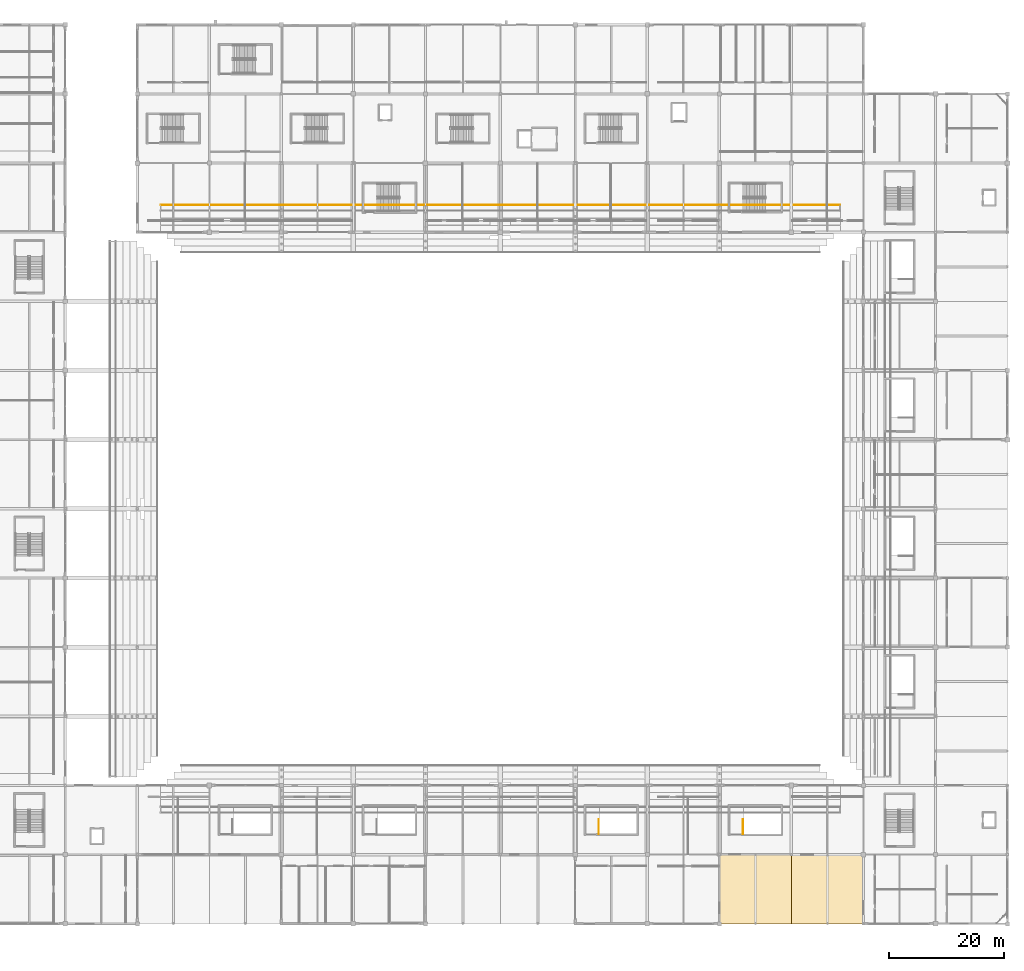
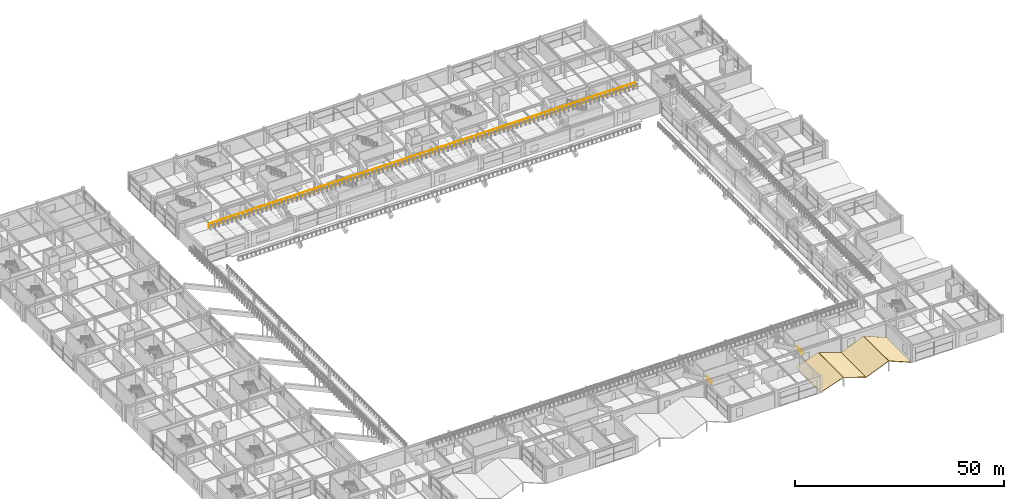
# One storey, part 117 of 128: 4 coverings, 3 railings.
"""IFC4 building model written with IfcOpenShell, lengths in metres."""

from ifc_helpers import new_model, si_unit, direction, frame, origin, origin_2d, place, context, subcontext, project, spatial, polyline, circle, outline, extrude, material, layer, layer_set, type_object, element, save


model = new_model("IFC4")

# Units and contexts
model_context = context("Model", 3, precision=1e-05, world=origin(), true_north=direction((0.0, 1.0)))
body_context = subcontext(model_context, "Body", "Model", "MODEL_VIEW")
ifc_project = project(units=[si_unit("LENGTHUNIT", "METRE"), si_unit("AREAUNIT", "SQUARE_METRE"), si_unit("VOLUMEUNIT", "CUBIC_METRE"), si_unit("PLANEANGLEUNIT", "RADIAN"), si_unit("MASSUNIT", "GRAM", prefix="KILO")], contexts=[model_context])

# Site, building, storey
site_placement = place(None, origin())
site = spatial("IfcSite", under=ifc_project, at=site_placement, CompositionType="ELEMENT")
building_placement = place(site_placement, origin())
building = spatial("IfcBuilding", under=site, at=building_placement, Name="Kazenohara Klinker Stadium", CompositionType="ELEMENT")
storey_placement = place(building_placement, frame((0.0, 0.0, 15.300048828125)))
storey = spatial("IfcBuildingStorey", under=building, at=storey_placement, Name="L03", CompositionType="ELEMENT", Elevation=15.300048828125)

# Coverings
ifc_material_1 = material(Name="Insulated standing-seam copper roofing", Category="metal")
ifc_layer_1 = layer(ifc_material_1, 0.050048828125)
ifc_layer_set_1 = layer_set([ifc_layer_1], Name="Insulated standing-seam copper roofing")
covering_type = type_object("IfcCoveringType", Name="COV-ROOF-01", PredefinedType="ROOFING", material=ifc_layer_set_1)
for number, where, z_axis, x_axis, name in (
    (1, (150.0, 12.0, -0.030029296875), (-0.327622925614, 0.0, 0.944808561886), (0.944808561886, 0.0, 0.327622925614), "Standing-seam copper stepped wing roofing L03-A 13/B"),
    (2, (156.300048828125, 12.0, 2.119873046875), (0.327622925614, 0.0, 0.944808561886), (0.944808561886, 0.0, -0.327622925614), "Standing-seam copper stepped wing roofing L03-B 13/B"),
):
    element("IfcCovering", number, at=place(storey_placement, frame(where, z_axis=z_axis, x_axis=x_axis)), inside=storey, type_object=covering_type, Name=name, PredefinedType="ROOFING", context=body_context, shape_type="SweptSolid", body=[
        extrude(outline(polyline([(0.0, 0.0), (6.5621242461032345, 0.0), (6.5621242461032345, 12.0), (0.0, 12.0), (0.0, 0.0)])), origin(), (0.0, 0.0, -1.0), 0.050048828125),
    ])
for number, where, z_axis, x_axis, name in (
    (3, (162.5, 12.0, -0.030029296875), (-0.380383442935, 0.0, 0.924828868678), (0.924828868678, 0.0, 0.380383442935), "Standing-seam copper stepped wing roofing L03-A 14/B"),
    (4, (168.800048828125, 12.0, 2.52001953125), (0.380383442935, 0.0, 0.924828868678), (0.924828868678, 0.0, -0.380383442935), "Standing-seam copper stepped wing roofing L03-B 14/B"),
):
    element("IfcCovering", number, at=place(storey_placement, frame(where, z_axis=z_axis, x_axis=x_axis)), inside=storey, type_object=covering_type, Name=name, PredefinedType="ROOFING", context=body_context, shape_type="SweptSolid", body=[
        extrude(outline(polyline([(0.0, 0.0), (6.703890181040846, 0.0), (6.703890181040846, 12.0), (0.0, 12.0), (0.0, 0.0)])), origin(), (0.0, 0.0, -1.0), 0.050048828125),
    ])

# Railings
ifc_material_2 = material(Name="Galvanised powder-coated steel guardrail", Category="steel")
ifc_layer_2 = layer(ifc_material_2, 0.070068359375)
ifc_layer_set_2 = layer_set([ifc_layer_2], Name="Galvanised powder-coated steel guardrail")
railing_type_1 = type_object("IfcRailingType", Name="RL-GRD-1150", PredefinedType="GUARDRAIL", material=ifc_layer_set_2)
railing_1_placement = place(storey_placement, frame((53.06005859375, 136.719970703125, 6.349853515625)))
element("IfcRailing", 5, at=railing_1_placement, inside=storey, type_object=railing_type_1, Name="Spectator stand sightline guardrail TIER-UPPER-N-01-N", PredefinedType="GUARDRAIL", context=body_context, shape_type="SweptSolid", body=[
    extrude(circle(Radius=0.02392578125, at=origin_2d()), frame((0.0, 0.0, 1.1259765625), z_axis=(1.0, 0.0, 0.0), x_axis=(0.0, 1.0, 0.0)), (0.0, 0.0, 1.0), 117.8798828125),
    extrude(circle(Radius=0.02099609375, at=origin_2d()), origin(), (0.0, 0.0, 1.0), 1.101806640625),
    extrude(circle(Radius=0.02099609375, at=origin_2d()), frame((1.190673828125, 0.0, 0.0)), (0.0, 0.0, 1.0), 1.101806640625),
    extrude(circle(Radius=0.02099609375, at=origin_2d()), frame((2.38134765625, 0.0, 0.0)), (0.0, 0.0, 1.0), 1.101806640625),
    extrude(circle(Radius=0.02099609375, at=origin_2d()), frame((3.572021484375, 0.0, 0.0)), (0.0, 0.0, 1.0), 1.101806640625),
    extrude(circle(Radius=0.02099609375, at=origin_2d()), frame((4.762939453125, 0.0, 0.0)), (0.0, 0.0, 1.0), 1.101806640625),
    extrude(circle(Radius=0.02099609375, at=origin_2d()), frame((5.95361328125, 0.0, 0.0)), (0.0, 0.0, 1.0), 1.101806640625),
    extrude(circle(Radius=0.02099609375, at=origin_2d()), frame((7.144287109375, 0.0, 0.0)), (0.0, 0.0, 1.0), 1.101806640625),
    extrude(circle(Radius=0.02099609375, at=origin_2d()), frame((8.3349609375, 0.0, 0.0)), (0.0, 0.0, 1.0), 1.101806640625),
    extrude(circle(Radius=0.02099609375, at=origin_2d()), frame((9.525634765625, 0.0, 0.0)), (0.0, 0.0, 1.0), 1.101806640625),
    extrude(circle(Radius=0.02099609375, at=origin_2d()), frame((10.71630859375, 0.0, 0.0)), (0.0, 0.0, 1.0), 1.101806640625),
    extrude(circle(Radius=0.02099609375, at=origin_2d()), frame((11.906982421875, 0.0, 0.0)), (0.0, 0.0, 1.0), 1.101806640625),
    extrude(circle(Radius=0.02099609375, at=origin_2d()), frame((13.09765625, 0.0, 0.0)), (0.0, 0.0, 1.0), 1.101806640625),
    extrude(circle(Radius=0.02099609375, at=origin_2d()), frame((14.28857421875, 0.0, 0.0)), (0.0, 0.0, 1.0), 1.101806640625),
    extrude(circle(Radius=0.02099609375, at=origin_2d()), frame((15.479248046875, 0.0, 0.0)), (0.0, 0.0, 1.0), 1.101806640625),
    extrude(circle(Radius=0.02099609375, at=origin_2d()), frame((16.669921875, 0.0, 0.0)), (0.0, 0.0, 1.0), 1.101806640625),
    extrude(circle(Radius=0.02099609375, at=origin_2d()), frame((17.860595703125, 0.0, 0.0)), (0.0, 0.0, 1.0), 1.101806640625),
    extrude(circle(Radius=0.02099609375, at=origin_2d()), frame((19.05126953125, 0.0, 0.0)), (0.0, 0.0, 1.0), 1.101806640625),
    extrude(circle(Radius=0.02099609375, at=origin_2d()), frame((20.241943359375, 0.0, 0.0)), (0.0, 0.0, 1.0), 1.101806640625),
    extrude(circle(Radius=0.02099609375, at=origin_2d()), frame((21.4326171875, 0.0, 0.0)), (0.0, 0.0, 1.0), 1.101806640625),
    extrude(circle(Radius=0.02099609375, at=origin_2d()), frame((22.623291015625, 0.0, 0.0)), (0.0, 0.0, 1.0), 1.101806640625),
    extrude(circle(Radius=0.02099609375, at=origin_2d()), frame((23.814208984375, 0.0, 0.0)), (0.0, 0.0, 1.0), 1.101806640625),
    extrude(circle(Radius=0.02099609375, at=origin_2d()), frame((25.0048828125, 0.0, 0.0)), (0.0, 0.0, 1.0), 1.101806640625),
    extrude(circle(Radius=0.02099609375, at=origin_2d()), frame((26.195556640625, 0.0, 0.0)), (0.0, 0.0, 1.0), 1.101806640625),
    extrude(circle(Radius=0.02099609375, at=origin_2d()), frame((27.38623046875, 0.0, 0.0)), (0.0, 0.0, 1.0), 1.101806640625),
    extrude(circle(Radius=0.02099609375, at=origin_2d()), frame((28.576904296875, 0.0, 0.0)), (0.0, 0.0, 1.0), 1.101806640625),
    extrude(circle(Radius=0.02099609375, at=origin_2d()), frame((29.767578125, 0.0, 0.0)), (0.0, 0.0, 1.0), 1.101806640625),
    extrude(circle(Radius=0.02099609375, at=origin_2d()), frame((30.958251953125, 0.0, 0.0)), (0.0, 0.0, 1.0), 1.101806640625),
    extrude(circle(Radius=0.02099609375, at=origin_2d()), frame((32.149169921875, 0.0, 0.0)), (0.0, 0.0, 1.0), 1.101806640625),
    extrude(circle(Radius=0.02099609375, at=origin_2d()), frame((33.33984375, 0.0, 0.0)), (0.0, 0.0, 1.0), 1.101806640625),
    extrude(circle(Radius=0.02099609375, at=origin_2d()), frame((34.530517578125, 0.0, 0.0)), (0.0, 0.0, 1.0), 1.101806640625),
    extrude(circle(Radius=0.02099609375, at=origin_2d()), frame((35.72119140625, 0.0, 0.0)), (0.0, 0.0, 1.0), 1.101806640625),
    extrude(circle(Radius=0.02099609375, at=origin_2d()), frame((36.911865234375, 0.0, 0.0)), (0.0, 0.0, 1.0), 1.101806640625),
    extrude(circle(Radius=0.02099609375, at=origin_2d()), frame((38.1025390625, 0.0, 0.0)), (0.0, 0.0, 1.0), 1.101806640625),
    extrude(circle(Radius=0.02099609375, at=origin_2d()), frame((39.293212890625, 0.0, 0.0)), (0.0, 0.0, 1.0), 1.101806640625),
    extrude(circle(Radius=0.02099609375, at=origin_2d()), frame((40.48388671875, 0.0, 0.0)), (0.0, 0.0, 1.0), 1.101806640625),
    extrude(circle(Radius=0.02099609375, at=origin_2d()), frame((41.6748046875, 0.0, 0.0)), (0.0, 0.0, 1.0), 1.101806640625),
    extrude(circle(Radius=0.02099609375, at=origin_2d()), frame((42.865478515625, 0.0, 0.0)), (0.0, 0.0, 1.0), 1.101806640625),
    extrude(circle(Radius=0.02099609375, at=origin_2d()), frame((44.05615234375, 0.0, 0.0)), (0.0, 0.0, 1.0), 1.101806640625),
    extrude(circle(Radius=0.02099609375, at=origin_2d()), frame((45.246826171875, 0.0, 0.0)), (0.0, 0.0, 1.0), 1.101806640625),
    extrude(circle(Radius=0.02099609375, at=origin_2d()), frame((46.4375, 0.0, 0.0)), (0.0, 0.0, 1.0), 1.101806640625),
    extrude(circle(Radius=0.02099609375, at=origin_2d()), frame((47.628173828125, 0.0, 0.0)), (0.0, 0.0, 1.0), 1.101806640625),
    extrude(circle(Radius=0.02099609375, at=origin_2d()), frame((48.81884765625, 0.0, 0.0)), (0.0, 0.0, 1.0), 1.101806640625),
    extrude(circle(Radius=0.02099609375, at=origin_2d()), frame((50.009765625, 0.0, 0.0)), (0.0, 0.0, 1.0), 1.101806640625),
    extrude(circle(Radius=0.02099609375, at=origin_2d()), frame((51.200439453125, 0.0, 0.0)), (0.0, 0.0, 1.0), 1.101806640625),
    extrude(circle(Radius=0.02099609375, at=origin_2d()), frame((52.39111328125, 0.0, 0.0)), (0.0, 0.0, 1.0), 1.101806640625),
    extrude(circle(Radius=0.02099609375, at=origin_2d()), frame((53.581787109375, 0.0, 0.0)), (0.0, 0.0, 1.0), 1.101806640625),
    extrude(circle(Radius=0.02099609375, at=origin_2d()), frame((54.7724609375, 0.0, 0.0)), (0.0, 0.0, 1.0), 1.101806640625),
    extrude(circle(Radius=0.02099609375, at=origin_2d()), frame((55.963134765625, 0.0, 0.0)), (0.0, 0.0, 1.0), 1.101806640625),
    extrude(circle(Radius=0.02099609375, at=origin_2d()), frame((57.15380859375, 0.0, 0.0)), (0.0, 0.0, 1.0), 1.101806640625),
    extrude(circle(Radius=0.02099609375, at=origin_2d()), frame((58.344482421875, 0.0, 0.0)), (0.0, 0.0, 1.0), 1.101806640625),
    extrude(circle(Radius=0.02099609375, at=origin_2d()), frame((59.535400390625, 0.0, 0.0)), (0.0, 0.0, 1.0), 1.101806640625),
    extrude(circle(Radius=0.02099609375, at=origin_2d()), frame((60.72607421875, 0.0, 0.0)), (0.0, 0.0, 1.0), 1.101806640625),
    extrude(circle(Radius=0.02099609375, at=origin_2d()), frame((61.916748046875, 0.0, 0.0)), (0.0, 0.0, 1.0), 1.101806640625),
    extrude(circle(Radius=0.02099609375, at=origin_2d()), frame((63.107421875, 0.0, 0.0)), (0.0, 0.0, 1.0), 1.101806640625),
    extrude(circle(Radius=0.02099609375, at=origin_2d()), frame((64.298095703125, 0.0, 0.0)), (0.0, 0.0, 1.0), 1.101806640625),
    extrude(circle(Radius=0.02099609375, at=origin_2d()), frame((65.48876953125, 0.0, 0.0)), (0.0, 0.0, 1.0), 1.101806640625),
    extrude(circle(Radius=0.02099609375, at=origin_2d()), frame((66.679443359375, 0.0, 0.0)), (0.0, 0.0, 1.0), 1.101806640625),
    extrude(circle(Radius=0.02099609375, at=origin_2d()), frame((67.8701171875, 0.0, 0.0)), (0.0, 0.0, 1.0), 1.101806640625),
    extrude(circle(Radius=0.02099609375, at=origin_2d()), frame((69.06103515625, 0.0, 0.0)), (0.0, 0.0, 1.0), 1.101806640625),
    extrude(circle(Radius=0.02099609375, at=origin_2d()), frame((70.251708984375, 0.0, 0.0)), (0.0, 0.0, 1.0), 1.101806640625),
    extrude(circle(Radius=0.02099609375, at=origin_2d()), frame((71.4423828125, 0.0, 0.0)), (0.0, 0.0, 1.0), 1.101806640625),
    extrude(circle(Radius=0.02099609375, at=origin_2d()), frame((72.633056640625, 0.0, 0.0)), (0.0, 0.0, 1.0), 1.101806640625),
    extrude(circle(Radius=0.02099609375, at=origin_2d()), frame((73.82373046875, 0.0, 0.0)), (0.0, 0.0, 1.0), 1.101806640625),
    extrude(circle(Radius=0.02099609375, at=origin_2d()), frame((75.014404296875, 0.0, 0.0)), (0.0, 0.0, 1.0), 1.101806640625),
    extrude(circle(Radius=0.02099609375, at=origin_2d()), frame((76.205078125, 0.0, 0.0)), (0.0, 0.0, 1.0), 1.101806640625),
    extrude(circle(Radius=0.02099609375, at=origin_2d()), frame((77.39599609375, 0.0, 0.0)), (0.0, 0.0, 1.0), 1.101806640625),
    extrude(circle(Radius=0.02099609375, at=origin_2d()), frame((78.586669921875, 0.0, 0.0)), (0.0, 0.0, 1.0), 1.101806640625),
    extrude(circle(Radius=0.02099609375, at=origin_2d()), frame((79.77734375, 0.0, 0.0)), (0.0, 0.0, 1.0), 1.101806640625),
    extrude(circle(Radius=0.02099609375, at=origin_2d()), frame((80.968017578125, 0.0, 0.0)), (0.0, 0.0, 1.0), 1.101806640625),
    extrude(circle(Radius=0.02099609375, at=origin_2d()), frame((82.15869140625, 0.0, 0.0)), (0.0, 0.0, 1.0), 1.101806640625),
    extrude(circle(Radius=0.02099609375, at=origin_2d()), frame((83.349365234375, 0.0, 0.0)), (0.0, 0.0, 1.0), 1.101806640625),
    extrude(circle(Radius=0.02099609375, at=origin_2d()), frame((84.5400390625, 0.0, 0.0)), (0.0, 0.0, 1.0), 1.101806640625),
    extrude(circle(Radius=0.02099609375, at=origin_2d()), frame((85.730712890625, 0.0, 0.0)), (0.0, 0.0, 1.0), 1.101806640625),
    extrude(circle(Radius=0.02099609375, at=origin_2d()), frame((86.921630859375, 0.0, 0.0)), (0.0, 0.0, 1.0), 1.101806640625),
    extrude(circle(Radius=0.02099609375, at=origin_2d()), frame((88.1123046875, 0.0, 0.0)), (0.0, 0.0, 1.0), 1.101806640625),
    extrude(circle(Radius=0.02099609375, at=origin_2d()), frame((89.302978515625, 0.0, 0.0)), (0.0, 0.0, 1.0), 1.101806640625),
    extrude(circle(Radius=0.02099609375, at=origin_2d()), frame((90.49365234375, 0.0, 0.0)), (0.0, 0.0, 1.0), 1.101806640625),
    extrude(circle(Radius=0.02099609375, at=origin_2d()), frame((91.684326171875, 0.0, 0.0)), (0.0, 0.0, 1.0), 1.101806640625),
    extrude(circle(Radius=0.02099609375, at=origin_2d()), frame((92.875, 0.0, 0.0)), (0.0, 0.0, 1.0), 1.101806640625),
    extrude(circle(Radius=0.02099609375, at=origin_2d()), frame((94.065673828125, 0.0, 0.0)), (0.0, 0.0, 1.0), 1.101806640625),
    extrude(circle(Radius=0.02099609375, at=origin_2d()), frame((95.256591796875, 0.0, 0.0)), (0.0, 0.0, 1.0), 1.101806640625),
    extrude(circle(Radius=0.02099609375, at=origin_2d()), frame((96.447265625, 0.0, 0.0)), (0.0, 0.0, 1.0), 1.101806640625),
    extrude(circle(Radius=0.02099609375, at=origin_2d()), frame((97.637939453125, 0.0, 0.0)), (0.0, 0.0, 1.0), 1.101806640625),
    extrude(circle(Radius=0.02099609375, at=origin_2d()), frame((98.82861328125, 0.0, 0.0)), (0.0, 0.0, 1.0), 1.101806640625),
    extrude(circle(Radius=0.02099609375, at=origin_2d()), frame((100.019287109375, 0.0, 0.0)), (0.0, 0.0, 1.0), 1.101806640625),
    extrude(circle(Radius=0.02099609375, at=origin_2d()), frame((101.2099609375, 0.0, 0.0)), (0.0, 0.0, 1.0), 1.101806640625),
    extrude(circle(Radius=0.02099609375, at=origin_2d()), frame((102.400634765625, 0.0, 0.0)), (0.0, 0.0, 1.0), 1.101806640625),
    extrude(circle(Radius=0.02099609375, at=origin_2d()), frame((103.59130859375, 0.0, 0.0)), (0.0, 0.0, 1.0), 1.101806640625),
    extrude(circle(Radius=0.02099609375, at=origin_2d()), frame((104.7822265625, 0.0, 0.0)), (0.0, 0.0, 1.0), 1.101806640625),
    extrude(circle(Radius=0.02099609375, at=origin_2d()), frame((105.972900390625, 0.0, 0.0)), (0.0, 0.0, 1.0), 1.101806640625),
    extrude(circle(Radius=0.02099609375, at=origin_2d()), frame((107.16357421875, 0.0, 0.0)), (0.0, 0.0, 1.0), 1.101806640625),
    extrude(circle(Radius=0.02099609375, at=origin_2d()), frame((108.354248046875, 0.0, 0.0)), (0.0, 0.0, 1.0), 1.101806640625),
    extrude(circle(Radius=0.02099609375, at=origin_2d()), frame((109.544921875, 0.0, 0.0)), (0.0, 0.0, 1.0), 1.101806640625),
    extrude(circle(Radius=0.02099609375, at=origin_2d()), frame((110.735595703125, 0.0, 0.0)), (0.0, 0.0, 1.0), 1.101806640625),
    extrude(circle(Radius=0.02099609375, at=origin_2d()), frame((111.92626953125, 0.0, 0.0)), (0.0, 0.0, 1.0), 1.101806640625),
    extrude(circle(Radius=0.02099609375, at=origin_2d()), frame((113.116943359375, 0.0, 0.0)), (0.0, 0.0, 1.0), 1.101806640625),
    extrude(circle(Radius=0.02099609375, at=origin_2d()), frame((114.307861328125, 0.0, 0.0)), (0.0, 0.0, 1.0), 1.101806640625),
    extrude(circle(Radius=0.02099609375, at=origin_2d()), frame((115.49853515625, 0.0, 0.0)), (0.0, 0.0, 1.0), 1.101806640625),
    extrude(circle(Radius=0.02099609375, at=origin_2d()), frame((116.689208984375, 0.0, 0.0)), (0.0, 0.0, 1.0), 1.101806640625),
    extrude(circle(Radius=0.02099609375, at=origin_2d()), frame((117.8798828125, 0.0, 0.0)), (0.0, 0.0, 1.0), 1.101806640625),
])
ifc_material_3 = material(Name="Painted steel stairwell guardrail", Category="steel")
ifc_layer_3 = layer(ifc_material_3, 0.06005859375)
ifc_layer_set_3 = layer_set([ifc_layer_3], Name="Painted steel stairwell guardrail")
railing_type_2 = type_object("IfcRailingType", Name="RL-STG-1120", PredefinedType="GUARDRAIL", material=ifc_layer_set_3)
railing_2_placement = place(storey_placement, frame((129.070068359375, 27.570068359375, 0.0)))
element("IfcRailing", 6, at=railing_2_placement, inside=storey, type_object=railing_type_2, Name="L03 ST27 top well guard 1", PredefinedType="GUARDRAIL", context=body_context, shape_type="SweptSolid", body=[
    extrude(circle(Radius=0.02392578125, at=origin_2d()), frame((0.0, 0.0, 1.1259765625), z_axis=(0.0, 1.0, 0.0), x_axis=(-1.0, 0.0, 0.0)), (0.0, 0.0, 1.0), 2.530029296875),
    extrude(circle(Radius=0.02099609375, at=origin_2d()), origin(), (0.0, 0.0, 1.0), 1.101806640625),
    extrude(circle(Radius=0.02099609375, at=origin_2d()), frame((0.0, 0.84326171875, 0.0)), (0.0, 0.0, 1.0), 1.101806640625),
    extrude(circle(Radius=0.02099609375, at=origin_2d()), frame((0.0, 1.686767578125, 0.0)), (0.0, 0.0, 1.0), 1.101806640625),
    extrude(circle(Radius=0.02099609375, at=origin_2d()), frame((0.0, 2.530029296875, 0.0)), (0.0, 0.0, 1.0), 1.101806640625),
])
railing_3_placement = place(storey_placement, frame((154.080078125, 27.56005859375, 0.0)))
element("IfcRailing", 7, at=railing_3_placement, inside=storey, type_object=railing_type_2, Name="L03 ST28 top well guard 1", PredefinedType="GUARDRAIL", context=body_context, shape_type="SweptSolid", body=[
    extrude(circle(Radius=0.02392578125, at=origin_2d()), frame((0.0, 0.0, 1.1259765625), z_axis=(0.0, 1.0, 0.0), x_axis=(-1.0, 0.0, 0.0)), (0.0, 0.0, 1.0), 2.5400390625),
    extrude(circle(Radius=0.02099609375, at=origin_2d()), origin(), (0.0, 0.0, 1.0), 1.101806640625),
    extrude(circle(Radius=0.02099609375, at=origin_2d()), frame((0.0, 0.8466796875, 0.0)), (0.0, 0.0, 1.0), 1.101806640625),
    extrude(circle(Radius=0.02099609375, at=origin_2d()), frame((0.0, 1.693359375, 0.0)), (0.0, 0.0, 1.0), 1.101806640625),
    extrude(circle(Radius=0.02099609375, at=origin_2d()), frame((0.0, 2.5400390625, 0.0)), (0.0, 0.0, 1.0), 1.101806640625),
])

save(model, "model.ifc")
